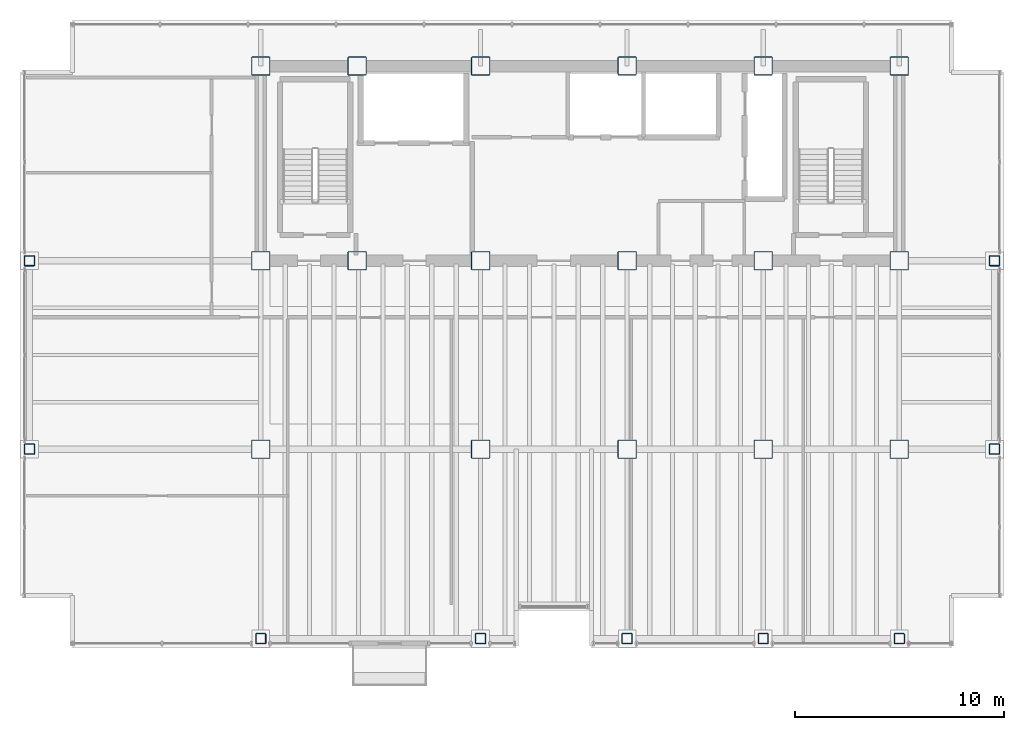
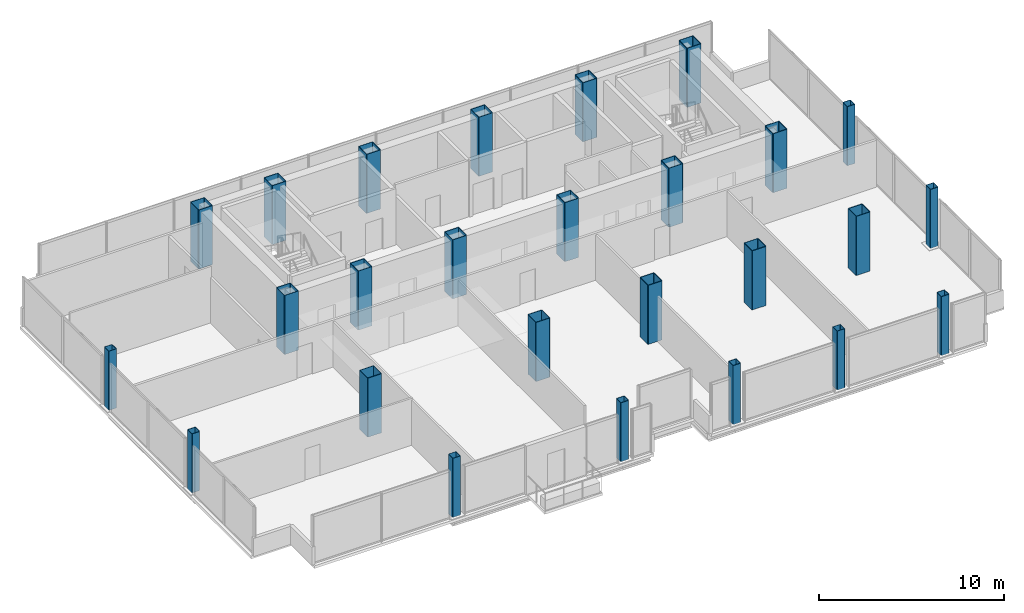
# One storey, part 1 of 20: 26 columns.
"""IFC4 building model written with IfcOpenShell, lengths in metres."""

import ifcopenshell
import ifcopenshell.guid

model = None  # the IFC model being written
_history = None  # IfcOwnerHistory: only IFC2X3 demands one
_inside = {}  # id of a spatial element -> (the spatial element, [elements in it])
_under = {}  # id of a project, library or spatial element -> (it, [spatial elements below it])
_declared = {}  # id of a project -> (the project, [libraries it declares])
_typed = {}  # id of a type object -> (the type object, [elements of that type])
_made_of = {}  # id of a material, layer set ... -> (it, [elements and type objects made of it])


def new_model(schema):
    """Start an empty IFC model of exactly this schema.

    Asked for "IFC4X3", IfcOpenShell would pick the latest addendum, in which some entities
    have other attributes; the version numbers below select the first issue.
    IFC2X3 requires an IfcOwnerHistory on every rooted entity: one is made here for all.
    """
    global model, _history
    if schema == "IFC4X3":
        model = ifcopenshell.file(schema_version=(4, 3, 0, 0))
    else:
        model = ifcopenshell.file(schema=schema)
    _inside.clear()
    _under.clear()
    _declared.clear()
    _typed.clear()
    _made_of.clear()
    _history = None
    if model.schema == "IFC2X3":
        org = make("IfcOrganization", Name="unknown")
        user = make(
            "IfcPersonAndOrganization",
            ThePerson=make("IfcPerson", FamilyName="unknown"),
            TheOrganization=org,
        )
        app = make(
            "IfcApplication",
            ApplicationDeveloper=org,
            Version="unknown",
            ApplicationFullName="unknown",
            ApplicationIdentifier="unknown",
        )
        _history = make(
            "IfcOwnerHistory",
            OwningUser=user,
            OwningApplication=app,
            ChangeAction="ADDED",
            CreationDate=0,
        )
    return model


def make(cls, **values):
    """One entity of the class cls with the attributes given. An attribute that is None is left unset."""
    return model.create_entity(
        cls, **{name: value for name, value in values.items() if value is not None}
    )


def rooted(cls, **values):
    """An entity with a GlobalId (a new one), such as an element, a storey or a relation."""
    return make(cls, GlobalId=ifcopenshell.guid.new(), OwnerHistory=_history, **values)


def si_unit(unit_type, name, prefix=None):
    """IfcSIUnit, for example si_unit("LENGTHUNIT", "METRE", prefix="MILLI")."""
    return make("IfcSIUnit", UnitType=unit_type, Prefix=prefix, Name=name)


def assignment(units):
    """IfcUnitAssignment: the units of a project."""
    return None if units is None else make("IfcUnitAssignment", Units=units)


def point(xyz):
    """IfcCartesianPoint."""
    return None if xyz is None else make("IfcCartesianPoint", Coordinates=xyz)


def direction(xyz):
    """IfcDirection."""
    return None if xyz is None else make("IfcDirection", DirectionRatios=xyz)


def frame(location, z_axis=None, x_axis=None):
    """IfcAxis2Placement3D, a coordinate frame: its origin and axes. An axis left out is left unset."""
    return make(
        "IfcAxis2Placement3D",
        Location=point(location),
        Axis=direction(z_axis),
        RefDirection=direction(x_axis),
    )


def frame_2d(location, x_axis=None):
    """IfcAxis2Placement2D, a coordinate frame in the plane: its origin and x axis."""
    return make(
        "IfcAxis2Placement2D", Location=point(location), RefDirection=direction(x_axis)
    )


def origin():
    """The frame at (0, 0, 0) with its axes left unset."""
    return frame((0.0, 0.0, 0.0))


def origin_2d():
    """The frame at (0, 0) in the plane with its x axis left unset."""
    return frame_2d((0.0, 0.0))


def place(relative_to, where):
    """IfcLocalPlacement: puts the frame where relative to a parent placement (None: the world)."""
    return make(
        "IfcLocalPlacement", PlacementRelTo=relative_to, RelativePlacement=where
    )


def context(
    kind, dimensions, precision=None, world=None, true_north=None, identifier=None
):
    """IfcGeometricRepresentationContext, for example the 3D "Model" context."""
    return make(
        "IfcGeometricRepresentationContext",
        ContextIdentifier=identifier,
        ContextType=kind,
        CoordinateSpaceDimension=dimensions,
        Precision=precision,
        WorldCoordinateSystem=world,
        TrueNorth=true_north,
    )


def subcontext(parent, identifier, kind, view, scale=None):
    """IfcGeometricRepresentationSubContext, for example "Body" below "Model"."""
    return make(
        "IfcGeometricRepresentationSubContext",
        ContextIdentifier=identifier,
        ContextType=kind,
        ParentContext=parent,
        TargetScale=scale,
        TargetView=view,
    )


def project(units=None, contexts=None):
    """IfcProject with its units and contexts."""
    return rooted(
        "IfcProject",
        Name="project",
        RepresentationContexts=contexts,
        UnitsInContext=assignment(units),
    )


def spatial(cls, under=None, at=None, **own):
    """A site, building, storey or space (cls), placed at a placement, below another one or the project."""
    s = rooted(cls, ObjectPlacement=at, **own)
    if under is not None:
        _under.setdefault(under.id(), (under, []))[1].append(s)
    return s


def profile(cls, at=None, kind="AREA", **sizes):
    """A parametric profile (cls). Its sizes go by their IFC names, for example OverallWidth=200.0."""
    return make(cls, ProfileType=kind, Position=at, **sizes)


def hollow_rectangle(**sizes):
    """IfcRectangleHollowProfileDef."""
    return profile("IfcRectangleHollowProfileDef", **sizes)


def extrude(swept, where, along, depth):
    """IfcExtrudedAreaSolid: the profile swept, set in the frame where, extruded along a direction by depth."""
    return make(
        "IfcExtrudedAreaSolid",
        SweptArea=swept,
        Position=where,
        ExtrudedDirection=direction(along),
        Depth=depth,
    )


def shape(context_of_items, identifier, shape_type, items):
    """IfcShapeRepresentation: the items that make up one representation, for example the "Body"."""
    return make(
        "IfcShapeRepresentation",
        ContextOfItems=context_of_items,
        RepresentationIdentifier=identifier,
        RepresentationType=shape_type,
        Items=items,
    )


def material(Name=None, Category=None):
    """IfcMaterial."""
    return make("IfcMaterial", Name=Name, Category=Category)


def material_profile(
    of_material, cross_section, Name=None, Category=None, Priority=None
):
    """IfcMaterialProfile: a cross section and its material."""
    return make(
        "IfcMaterialProfile",
        Name=Name,
        Material=of_material,
        Profile=cross_section,
        Priority=Priority,
        Category=Category,
    )


def profile_set(profiles, Name=None, composite=None):
    """IfcMaterialProfileSet."""
    return make(
        "IfcMaterialProfileSet",
        Name=Name,
        MaterialProfiles=profiles,
        CompositeProfile=composite,
    )


def made_of(thing, what):
    """Note that an element or type object is made of a material, layer set ...; save() writes the relation."""
    if what is not None:
        _made_of.setdefault(what.id(), (what, []))[1].append(thing)
    return thing


def type_object(cls, material=None, **own):
    """A type object (cls), such as IfcWallType, which elements share."""
    return made_of(rooted(cls, **own), material)


def element(
    cls,
    number,
    at=None,
    inside=None,
    cuts=None,
    type_object=None,
    material=None,
    context=None,
    identifier="Body",
    shape_type=None,
    held_by="IfcProductDefinitionShape",
    body=None,
    shapes=None,
    **own,
):
    """One element of the class cls, such as IfcWall. Its Tag is "e" and its number.

    at: its placement. inside: the storey or other place that contains it. cuts: it is an
    opening in that element (IfcRelVoidsElement). A single representation is given by context,
    identifier, shape_type and body (its items); several are given by shapes. held_by: the class
    of the entity that holds the representations. save() writes the other relations.
    """
    e = rooted(cls, Tag="e%d" % number, ObjectPlacement=at, **own)
    if body is not None:
        shapes = [shape(context, identifier, shape_type, body)]
    if shapes is not None:
        e.Representation = make(held_by, Representations=shapes)
    if inside is not None:
        _inside.setdefault(inside.id(), (inside, []))[1].append(e)
    if cuts is not None:
        rooted(
            "IfcRelVoidsElement", RelatingBuildingElement=cuts, RelatedOpeningElement=e
        )
    if type_object is not None:
        _typed.setdefault(type_object.id(), (type_object, []))[1].append(e)
    return made_of(e, material)


def aggregate(whole, parts):
    """IfcRelAggregates: a whole, such as a stair, and the parts it consists of."""
    return rooted("IfcRelAggregates", RelatingObject=whole, RelatedObjects=parts)


def save(model, path):
    """Write the relations noted so far, then the file.

    IfcRelAggregates (storeys below a building ...), IfcRelContainedInSpatialStructure (elements
    in a storey), IfcRelDefinesByType, IfcRelAssociatesMaterial and IfcRelDeclares: one each for
    every whole, place, type object, material and project.
    """
    for whole, parts in _under.values():
        aggregate(whole, parts)
    for where, things in _inside.values():
        rooted(
            "IfcRelContainedInSpatialStructure",
            RelatedElements=things,
            RelatingStructure=where,
        )
    for kind, things in _typed.values():
        rooted("IfcRelDefinesByType", RelatedObjects=things, RelatingType=kind)
    for what, things in _made_of.values():
        rooted("IfcRelAssociatesMaterial", RelatedObjects=things, RelatingMaterial=what)
    for by, libraries in _declared.values():
        rooted("IfcRelDeclares", RelatingContext=by, RelatedDefinitions=libraries)
    model.write(path)


model = new_model("IFC4")

# Units and contexts
model_context = context("Model", 3, precision=1e-05, world=origin(), true_north=direction((0.0, 1.0)))
body_context = subcontext(model_context, "Body", "Model", "MODEL_VIEW")
ifc_project = project(units=[si_unit("LENGTHUNIT", "METRE"), si_unit("AREAUNIT", "SQUARE_METRE"), si_unit("VOLUMEUNIT", "CUBIC_METRE"), si_unit("PLANEANGLEUNIT", "RADIAN"), si_unit("MASSUNIT", "GRAM", prefix="KILO")], contexts=[model_context])

# Site, building, storey
site_placement = place(None, origin())
site = spatial("IfcSite", under=ifc_project, at=site_placement, CompositionType="ELEMENT")
building_placement = place(site_placement, origin())
building = spatial("IfcBuilding", under=site, at=building_placement, Name="Noeulbin Bourse Tower", CompositionType="ELEMENT")
storey_placement = place(building_placement, frame((0.0, 0.0, 126.60009765625)))
storey = spatial("IfcBuildingStorey", under=building, at=storey_placement, Name="L31", CompositionType="ELEMENT", Elevation=126.60009765625)

# Columns
ifc_material_1 = material(Name="Steel S355", Category="steel")
ifc_material_profile_1 = material_profile(ifc_material_1, hollow_rectangle(XDim=0.5, YDim=0.5, WallThickness=0.02392578125, InnerFilletRadius=0.011962890625, OuterFilletRadius=0.035888671875, at=origin_2d()), Name="BOX-500x500x24", Category="LoadBearing")
ifc_profile_set_1 = profile_set([ifc_material_profile_1], Name="Steel S355")
column_type_1 = type_object("IfcColumnType", Name="COL-PER-Z2", PredefinedType="COLUMN", material=ifc_profile_set_1)
for number, where, z_axis, x_axis, name in (
    (1, (2.449951171875, 20.0, 0.0), (0.0, 0.0, 1.0), (1.0, 0.0, 0.0), "Tower Perimeter Column COL-PER-Z2 01"),
    (2, (2.449951171875, 29.0, 0.0), (0.0, 0.0, 1.0), (1.0, 0.0, 0.0), "Tower Perimeter Column COL-PER-Z2 02"),
    (3, (13.5, 10.949951171875, 0.0), (0.0, 0.0, 1.0), (1.0, 0.0, 0.0), "Tower Perimeter Column COL-PER-Z2 03"),
    (4, (24.0, 10.949951171875, 0.0), (0.0, 0.0, 1.0), (1.0, 0.0, 0.0), "Tower Perimeter Column COL-PER-Z2 04"),
    (5, (31.0, 10.949951171875, 0.0), (0.0, 0.0, 1.0), (1.0, 0.0, 0.0), "Tower Perimeter Column COL-PER-Z2 05"),
    (6, (37.5, 10.949951171875, 0.0), (0.0, 0.0, 1.0), (1.0, 0.0, 0.0), "Tower Perimeter Column COL-PER-Z2 06"),
    (7, (44.0, 10.949951171875, 0.0), (0.0, 0.0, 1.0), (1.0, 0.0, 0.0), "Tower Perimeter Column COL-PER-Z2 07"),
    (8, (48.550048828125, 20.0, 0.0), (0.0, 0.0, 1.0), (1.0, 0.0, 0.0), "Tower Perimeter Column COL-PER-Z2 08"),
    (9, (48.550048828125, 29.0, 0.0), (0.0, 0.0, 1.0), (1.0, 0.0, 0.0), "Tower Perimeter Column COL-PER-Z2 09"),
):
    element("IfcColumn", number, at=place(storey_placement, frame(where, z_axis=z_axis, x_axis=x_axis)), inside=storey, type_object=column_type_1, Name=name, PredefinedType="COLUMN", context=body_context, shape_type="SweptSolid", body=[
        extrude(hollow_rectangle(XDim=0.5, YDim=0.5, WallThickness=0.02392578125, InnerFilletRadius=0.011962890625, OuterFilletRadius=0.035888671875, at=origin_2d()), origin(), (0.0, 0.0, 1.0), 3.89990234375),
    ])
ifc_material_2 = material(Name="Steel S460", Category="steel")
ifc_material_profile_2 = material_profile(ifc_material_2, hollow_rectangle(XDim=0.89990234375, YDim=0.89990234375, WallThickness=0.034912109375, InnerFilletRadius=0.01708984375, OuterFilletRadius=0.052001953125, at=origin_2d()), Name="BOX-900x900x35", Category="LoadBearing")
ifc_profile_set_2 = profile_set([ifc_material_profile_2], Name="Steel S460")
column_type_2 = type_object("IfcColumnType", Name="COL-TRK-Z2", PredefinedType="COLUMN", material=ifc_profile_set_2)
for number, where, z_axis, x_axis, name in (
    (10, (13.5, 29.0, 0.0), (0.0, 0.0, 1.0), (1.0, 0.0, 0.0), "Tower Trunk Mega-Column COL-TRK-Z2 01"),
    (11, (13.5, 38.300048828125, 0.0), (0.0, 0.0, 1.0), (1.0, 0.0, 0.0), "Tower Trunk Mega-Column COL-TRK-Z2 02"),
    (12, (18.10009765625, 29.0, 0.0), (0.0, 0.0, 1.0), (1.0, 0.0, 0.0), "Tower Trunk Mega-Column COL-TRK-Z2 03"),
    (13, (18.10009765625, 38.300048828125, 0.0), (0.0, 0.0, 1.0), (1.0, 0.0, 0.0), "Tower Trunk Mega-Column COL-TRK-Z2 04"),
    (14, (24.0, 29.0, 0.0), (0.0, 0.0, 1.0), (1.0, 0.0, 0.0), "Tower Trunk Mega-Column COL-TRK-Z2 05"),
    (15, (24.0, 38.300048828125, 0.0), (0.0, 0.0, 1.0), (1.0, 0.0, 0.0), "Tower Trunk Mega-Column COL-TRK-Z2 06"),
    (16, (31.0, 29.0, 0.0), (0.0, 0.0, 1.0), (1.0, 0.0, 0.0), "Tower Trunk Mega-Column COL-TRK-Z2 07"),
    (17, (31.0, 38.300048828125, 0.0), (0.0, 0.0, 1.0), (1.0, 0.0, 0.0), "Tower Trunk Mega-Column COL-TRK-Z2 08"),
    (18, (37.5, 29.0, 0.0), (0.0, 0.0, 1.0), (1.0, 0.0, 0.0), "Tower Trunk Mega-Column COL-TRK-Z2 09"),
    (19, (37.5, 38.300048828125, 0.0), (0.0, 0.0, 1.0), (1.0, 0.0, 0.0), "Tower Trunk Mega-Column COL-TRK-Z2 10"),
    (20, (44.0, 29.0, 0.0), (0.0, 0.0, 1.0), (1.0, 0.0, 0.0), "Tower Trunk Mega-Column COL-TRK-Z2 11"),
    (21, (44.0, 38.300048828125, 0.0), (0.0, 0.0, 1.0), (1.0, 0.0, 0.0), "Tower Trunk Mega-Column COL-TRK-Z2 12"),
    (22, (13.5, 20.0, 0.0), (0.0, 0.0, 1.0), (1.0, 0.0, 0.0), "Tower Trunk Mega-Column COL-TRK-Z2 13"),
    (23, (24.0, 20.0, 0.0), (0.0, 0.0, 1.0), (1.0, 0.0, 0.0), "Tower Trunk Mega-Column COL-TRK-Z2 14"),
    (24, (31.0, 20.0, 0.0), (0.0, 0.0, 1.0), (1.0, 0.0, 0.0), "Tower Trunk Mega-Column COL-TRK-Z2 15"),
    (25, (37.5, 20.0, 0.0), (0.0, 0.0, 1.0), (1.0, 0.0, 0.0), "Tower Trunk Mega-Column COL-TRK-Z2 16"),
    (26, (44.0, 20.0, 0.0), (0.0, 0.0, 1.0), (1.0, 0.0, 0.0), "Tower Trunk Mega-Column COL-TRK-Z2 17"),
):
    element("IfcColumn", number, at=place(storey_placement, frame(where, z_axis=z_axis, x_axis=x_axis)), inside=storey, type_object=column_type_2, Name=name, PredefinedType="COLUMN", context=body_context, shape_type="SweptSolid", body=[
        extrude(hollow_rectangle(XDim=0.89990234375, YDim=0.89990234375, WallThickness=0.034912109375, InnerFilletRadius=0.01708984375, OuterFilletRadius=0.052001953125, at=origin_2d()), origin(), (0.0, 0.0, 1.0), 3.89990234375),
    ])

save(model, "model.ifc")
